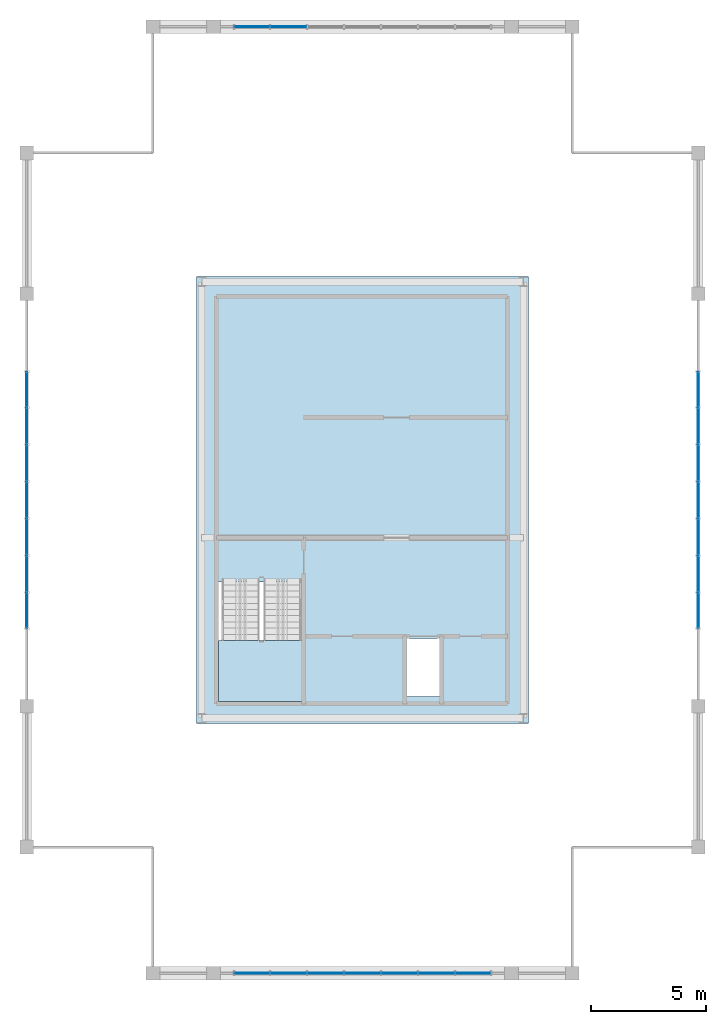
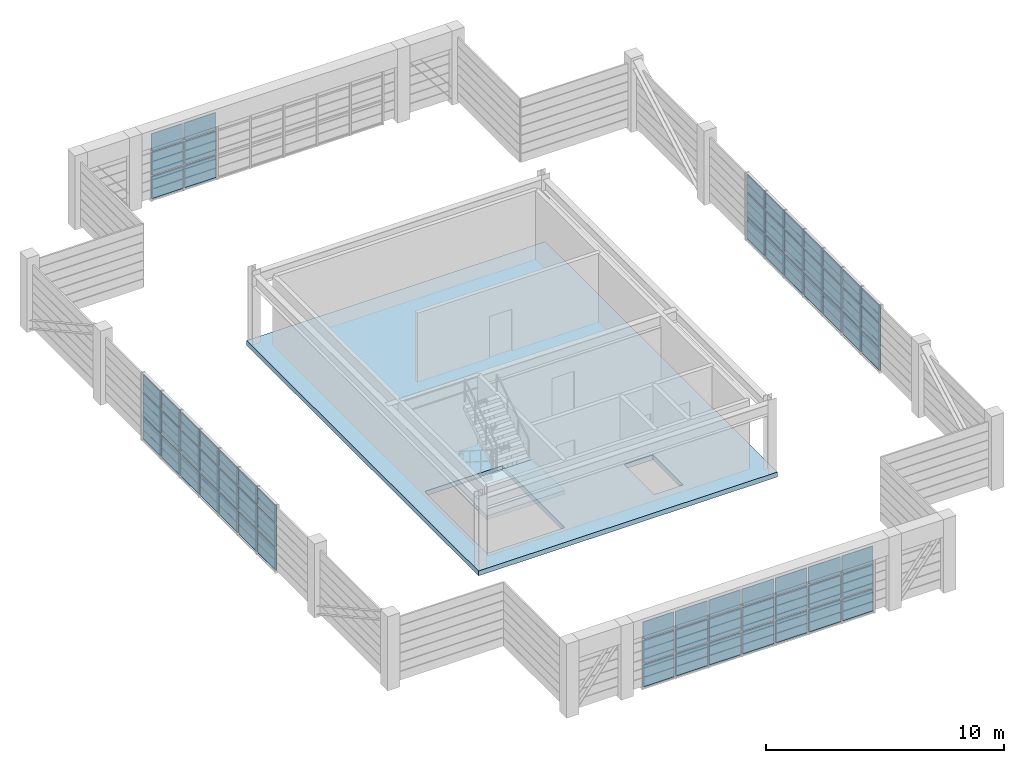
# One storey, part 16 of 21: 69 plates, 2 slabs, 5 elements without a shape of their own.
"""IFC4 building model written with IfcOpenShell, lengths in metres."""

from ifc_helpers import new_model, si_unit, direction, frame, origin, origin_2d, place, context, subcontext, project, spatial, polyline, rectangle, outline, extrude, source, transform, mapped, material, layer, layer_set, type_object, element, aggregate, save


model = new_model("IFC4")

# Units and contexts
model_context = context("Model", 3, precision=1e-05, world=origin(), true_north=direction((0.0, 1.0)))
body_context = subcontext(model_context, "Body", "Model", "MODEL_VIEW")
ifc_project = project(units=[si_unit("LENGTHUNIT", "METRE"), si_unit("AREAUNIT", "SQUARE_METRE"), si_unit("VOLUMEUNIT", "CUBIC_METRE"), si_unit("PLANEANGLEUNIT", "RADIAN"), si_unit("MASSUNIT", "GRAM", prefix="KILO")], contexts=[model_context])

# Site, building, storey
site_placement = place(None, origin())
site = spatial("IfcSite", under=ifc_project, at=site_placement, CompositionType="ELEMENT")
building_placement = place(site_placement, origin())
building = spatial("IfcBuilding", under=site, at=building_placement, Name="Saelheon Loggia Tower", CompositionType="ELEMENT")
storey_placement = place(building_placement, frame((0.0, 0.0, 267.39990234375)))
storey = spatial("IfcBuildingStorey", under=building, at=storey_placement, Name="CR5", CompositionType="ELEMENT", Elevation=267.39990234375)

# Slab
ifc_material_1 = material(Name="Concrete C45/55", Category="concrete")
ifc_layer_1 = layer(ifc_material_1, 0.25)
ifc_layer_set_1 = layer_set([ifc_layer_1], Name="Concrete C45/55")
slab_type_1 = type_object("IfcSlabType", Name="Slab_CrownDeck_250", PredefinedType="FLOOR", material=ifc_layer_set_1)
slab_1_placement = place(storey_placement, frame((0.0, 0.0, -0.25)))
element("IfcSlab", 1, at=slab_1_placement, inside=storey, type_object=slab_type_1, Name="CR5 Crown Mechanical Plant Platform", PredefinedType="FLOOR", context=body_context, shape_type="SweptSolid", body=[
    extrude(outline(polyline([(30.75, 17.25), (45.25, 17.25), (45.25, 36.75), (30.75, 36.75), (30.75, 17.25)]), holes=[polyline([(31.699951171875, 23.429931640625), (31.699951171875, 18.199951171875), (35.47998046875, 18.199951171875), (35.47998046875, 23.429931640625), (31.699951171875, 23.429931640625)]), polyline([(39.949951171875, 18.419921875), (41.35009765625, 18.419921875), (41.35009765625, 20.949951171875), (39.949951171875, 20.949951171875), (39.949951171875, 18.419921875)])]), origin(), (0.0, 0.0, 1.0), 0.25),
])

# Stair, slab
ifc_material_2 = material(Name="Concrete C40/50", Category="concrete")
stair_type = type_object("IfcStairType", Name="Stair_Plant_Crown", PredefinedType="HALF_TURN_STAIR", material=ifc_material_2)
stair_placement = place(storey_placement, origin())
stair = element("IfcStair", 2, at=stair_placement, inside=storey, type_object=stair_type, Name="CR5 Crown Plant Stair ST5", PredefinedType="HALF_TURN_STAIR")
ifc_layer_2 = layer(ifc_material_2, 0.199951171875)
ifc_layer_set_2 = layer_set([ifc_layer_2], Name="Concrete C40/50")
slab_type_2 = type_object("IfcSlabType", Name="Slab_StairLanding_ST5", PredefinedType="LANDING", material=ifc_layer_set_2)
slab_2_placement = place(storey_placement, frame((0.0, 0.0, 1.7001953125)))
slab_2 = element("IfcSlab", 3, at=slab_2_placement, type_object=slab_type_2, Name="ST5 landing 1", PredefinedType="LANDING", context=body_context, shape_type="SweptSolid", body=[
    extrude(outline(polyline([(31.7099609375, 20.8701171875), (31.7099609375, 18.2099609375), (35.469970703125, 18.2099609375), (35.469970703125, 20.8701171875), (31.7099609375, 20.8701171875)])), origin(), (0.0, 0.0, 1.0), 0.199951171875),
])
aggregate(stair, [slab_2])

# Curtain wall, plates
ifc_material_3 = material(Name="Bronze-Anodised Aluminium and Fritted Ceramic Screen", Category="aluminium")
ifc_layer_3 = layer(ifc_material_3, 0.219970703125)
ifc_layer_set_3 = layer_set([ifc_layer_3], Name="Bronze-Anodised Aluminium and Fritted Ceramic Screen")
curtain_wall_type = type_object("IfcCurtainWallType", Name="CW_CrownScreen", PredefinedType="NOTDEFINED", material=ifc_layer_set_3)
curtain_wall_1_placement = place(storey_placement, origin())
curtain_wall_1 = element("IfcCurtainWall", 4, at=curtain_wall_1_placement, inside=storey, type_object=curtain_wall_type, Name="CR5 Crown Central Screen Curtain Wall 0", PredefinedType="NOTDEFINED")
ifc_material_4 = material(Name="Bronze Ceramic Fritted Spandrel Panel", Category="aluminium")
ifc_layer_4 = layer(ifc_material_4, 0.0380859375)
ifc_layer_set_4 = layer_set([ifc_layer_4], Name="Bronze Ceramic Fritted Spandrel Panel")
plate_type = type_object("IfcPlateType", Name="CW_CrownScreen_Panel", PredefinedType="CURTAIN_PANEL", material=ifc_layer_set_4)
shared_shape_1 = source(origin(), body_context, "Body", "SweptSolid", [
    extrude(rectangle(XDim=1.50927734375, YDim=0.0380859375, at=origin_2d()), origin(), (0.0, 0.0, 1.0), 1.14501953125),
])
plate_1_placement = place(storey_placement, frame((33.174560546875, 6.35009765625, 0.070068359375), z_axis=(0.0, 0.0, 1.0), x_axis=(1.0, 0.0, 0.0)))
plate_1 = element("IfcPlate", 5, at=plate_1_placement, type_object=plate_type, Name="CW6 panel 1.1", PredefinedType="CURTAIN_PANEL", context=body_context, shape_type="MappedRepresentation", body=[
    mapped(shared_shape_1, transform((0.0, 0.0, 0.0), scale=1.0)),
])
plate_2_placement = place(storey_placement, frame((42.825439453125, 6.35009765625, 0.070068359375), z_axis=(0.0, 0.0, 1.0), x_axis=(1.0, 0.0, 0.0)))
plate_2 = element("IfcPlate", 6, at=plate_2_placement, type_object=plate_type, Name="CW6 panel 7.1", PredefinedType="CURTAIN_PANEL", context=body_context, shape_type="MappedRepresentation", body=[
    mapped(shared_shape_1, transform((0.0, 0.0, 0.0), scale=1.0)),
])

curtain_wall_2_placement = place(storey_placement, origin())
curtain_wall_2 = element("IfcCurtainWall", 7, at=curtain_wall_2_placement, inside=storey, type_object=curtain_wall_type, Name="CR5 Crown Central Screen Curtain Wall 3", PredefinedType="NOTDEFINED")
plate_3_placement = place(storey_placement, frame((52.64990234375, 22.174560546875, 0.070068359375), z_axis=(0.0, 0.0, 1.0), x_axis=(0.0, 1.0, 0.0)))
plate_3 = element("IfcPlate", 8, at=plate_3_placement, type_object=plate_type, Name="CW6 panel 1.1", PredefinedType="CURTAIN_PANEL", context=body_context, shape_type="MappedRepresentation", body=[
    mapped(shared_shape_1, transform((0.0, 0.0, 0.0), scale=1.0)),
])
plate_4_placement = place(storey_placement, frame((52.64990234375, 31.825439453125, 0.070068359375), z_axis=(0.0, 0.0, 1.0), x_axis=(0.0, 1.0, 0.0)))
plate_4 = element("IfcPlate", 9, at=plate_4_placement, type_object=plate_type, Name="CW6 panel 7.1", PredefinedType="CURTAIN_PANEL", context=body_context, shape_type="MappedRepresentation", body=[
    mapped(shared_shape_1, transform((0.0, 0.0, 0.0), scale=1.0)),
])

# Curtain wall, plate
curtain_wall_3_placement = place(storey_placement, origin())
curtain_wall_3 = element("IfcCurtainWall", 10, at=curtain_wall_3_placement, inside=storey, type_object=curtain_wall_type, Name="CR5 Crown Central Screen Curtain Wall 6", PredefinedType="NOTDEFINED")
plate_5_placement = place(storey_placement, frame((33.174560546875, 47.64990234375, 0.070068359375), z_axis=(0.0, 0.0, 1.0), x_axis=(1.0, 0.0, 0.0)))
plate_5 = element("IfcPlate", 11, at=plate_5_placement, type_object=plate_type, Name="CW6 panel 1.1", PredefinedType="CURTAIN_PANEL", context=body_context, shape_type="MappedRepresentation", body=[
    mapped(shared_shape_1, transform((0.0, 0.0, 0.0), scale=1.0)),
])

# Curtain wall, plates
curtain_wall_4_placement = place(storey_placement, origin())
curtain_wall_4 = element("IfcCurtainWall", 12, at=curtain_wall_4_placement, inside=storey, type_object=curtain_wall_type, Name="CR5 Crown Central Screen Curtain Wall 9", PredefinedType="NOTDEFINED")
plate_6_placement = place(storey_placement, frame((23.35009765625, 22.174560546875, 0.070068359375), z_axis=(0.0, 0.0, 1.0), x_axis=(0.0, 1.0, 0.0)))
plate_6 = element("IfcPlate", 13, at=plate_6_placement, type_object=plate_type, Name="CW6 panel 1.1", PredefinedType="CURTAIN_PANEL", context=body_context, shape_type="MappedRepresentation", body=[
    mapped(shared_shape_1, transform((0.0, 0.0, 0.0), scale=1.0)),
])
plate_7_placement = place(storey_placement, frame((23.35009765625, 31.825439453125, 0.070068359375), z_axis=(0.0, 0.0, 1.0), x_axis=(0.0, 1.0, 0.0)))
plate_7 = element("IfcPlate", 14, at=plate_7_placement, type_object=plate_type, Name="CW6 panel 7.1", PredefinedType="CURTAIN_PANEL", context=body_context, shape_type="MappedRepresentation", body=[
    mapped(shared_shape_1, transform((0.0, 0.0, 0.0), scale=1.0)),
])

# Plate
shared_shape_2 = source(origin(), body_context, "Body", "SweptSolid", [
    extrude(rectangle(XDim=1.50927734375, YDim=0.0380859375, at=origin_2d()), origin(), (0.0, 0.0, 1.0), 1.179931640625),
])
plate_8_placement = place(storey_placement, frame((33.174560546875, 6.35009765625, 1.28515625), z_axis=(0.0, 0.0, 1.0), x_axis=(1.0, 0.0, 0.0)))
plate_8 = element("IfcPlate", 15, at=plate_8_placement, type_object=plate_type, Name="CW6 panel 1.2", PredefinedType="CURTAIN_PANEL", context=body_context, shape_type="MappedRepresentation", body=[
    mapped(shared_shape_2, transform((0.0, 0.0, 0.0), scale=1.0)),
])

plate_9_placement = place(storey_placement, frame((42.825439453125, 6.35009765625, 1.28515625), z_axis=(0.0, 0.0, 1.0), x_axis=(1.0, 0.0, 0.0)))
plate_9 = element("IfcPlate", 16, at=plate_9_placement, type_object=plate_type, Name="CW6 panel 7.2", PredefinedType="CURTAIN_PANEL", context=body_context, shape_type="MappedRepresentation", body=[
    mapped(shared_shape_2, transform((0.0, 0.0, 0.0), scale=1.0)),
])

plate_10_placement = place(storey_placement, frame((52.64990234375, 22.174560546875, 1.28515625), z_axis=(0.0, 0.0, 1.0), x_axis=(0.0, 1.0, 0.0)))
plate_10 = element("IfcPlate", 17, at=plate_10_placement, type_object=plate_type, Name="CW6 panel 1.2", PredefinedType="CURTAIN_PANEL", context=body_context, shape_type="MappedRepresentation", body=[
    mapped(shared_shape_2, transform((0.0, 0.0, 0.0), scale=1.0)),
])

plate_11_placement = place(storey_placement, frame((52.64990234375, 31.825439453125, 1.28515625), z_axis=(0.0, 0.0, 1.0), x_axis=(0.0, 1.0, 0.0)))
plate_11 = element("IfcPlate", 18, at=plate_11_placement, type_object=plate_type, Name="CW6 panel 7.2", PredefinedType="CURTAIN_PANEL", context=body_context, shape_type="MappedRepresentation", body=[
    mapped(shared_shape_2, transform((0.0, 0.0, 0.0), scale=1.0)),
])

plate_12_placement = place(storey_placement, frame((33.174560546875, 47.64990234375, 1.28515625), z_axis=(0.0, 0.0, 1.0), x_axis=(1.0, 0.0, 0.0)))
plate_12 = element("IfcPlate", 19, at=plate_12_placement, type_object=plate_type, Name="CW6 panel 1.2", PredefinedType="CURTAIN_PANEL", context=body_context, shape_type="MappedRepresentation", body=[
    mapped(shared_shape_2, transform((0.0, 0.0, 0.0), scale=1.0)),
])

plate_13_placement = place(storey_placement, frame((23.35009765625, 22.174560546875, 1.28515625), z_axis=(0.0, 0.0, 1.0), x_axis=(0.0, 1.0, 0.0)))
plate_13 = element("IfcPlate", 20, at=plate_13_placement, type_object=plate_type, Name="CW6 panel 1.2", PredefinedType="CURTAIN_PANEL", context=body_context, shape_type="MappedRepresentation", body=[
    mapped(shared_shape_2, transform((0.0, 0.0, 0.0), scale=1.0)),
])

plate_14_placement = place(storey_placement, frame((23.35009765625, 31.825439453125, 1.28515625), z_axis=(0.0, 0.0, 1.0), x_axis=(0.0, 1.0, 0.0)))
plate_14 = element("IfcPlate", 21, at=plate_14_placement, type_object=plate_type, Name="CW6 panel 7.2", PredefinedType="CURTAIN_PANEL", context=body_context, shape_type="MappedRepresentation", body=[
    mapped(shared_shape_2, transform((0.0, 0.0, 0.0), scale=1.0)),
])

shared_shape_3 = source(origin(), body_context, "Body", "SweptSolid", [
    extrude(rectangle(XDim=1.50927734375, YDim=0.0380859375, at=origin_2d()), origin(), (0.0, 0.0, 1.0), 0.875),
])
plate_15_placement = place(storey_placement, frame((33.174560546875, 6.35009765625, 2.53515625), z_axis=(0.0, 0.0, 1.0), x_axis=(1.0, 0.0, 0.0)))
plate_15 = element("IfcPlate", 22, at=plate_15_placement, type_object=plate_type, Name="CW6 panel 1.3", PredefinedType="CURTAIN_PANEL", context=body_context, shape_type="MappedRepresentation", body=[
    mapped(shared_shape_3, transform((0.0, 0.0, 0.0), scale=1.0)),
])

plate_16_placement = place(storey_placement, frame((42.825439453125, 6.35009765625, 2.53515625), z_axis=(0.0, 0.0, 1.0), x_axis=(1.0, 0.0, 0.0)))
plate_16 = element("IfcPlate", 23, at=plate_16_placement, type_object=plate_type, Name="CW6 panel 7.3", PredefinedType="CURTAIN_PANEL", context=body_context, shape_type="MappedRepresentation", body=[
    mapped(shared_shape_3, transform((0.0, 0.0, 0.0), scale=1.0)),
])

plate_17_placement = place(storey_placement, frame((52.64990234375, 22.174560546875, 2.53515625), z_axis=(0.0, 0.0, 1.0), x_axis=(0.0, 1.0, 0.0)))
plate_17 = element("IfcPlate", 24, at=plate_17_placement, type_object=plate_type, Name="CW6 panel 1.3", PredefinedType="CURTAIN_PANEL", context=body_context, shape_type="MappedRepresentation", body=[
    mapped(shared_shape_3, transform((0.0, 0.0, 0.0), scale=1.0)),
])

plate_18_placement = place(storey_placement, frame((52.64990234375, 31.825439453125, 2.53515625), z_axis=(0.0, 0.0, 1.0), x_axis=(0.0, 1.0, 0.0)))
plate_18 = element("IfcPlate", 25, at=plate_18_placement, type_object=plate_type, Name="CW6 panel 7.3", PredefinedType="CURTAIN_PANEL", context=body_context, shape_type="MappedRepresentation", body=[
    mapped(shared_shape_3, transform((0.0, 0.0, 0.0), scale=1.0)),
])

plate_19_placement = place(storey_placement, frame((33.174560546875, 47.64990234375, 2.53515625), z_axis=(0.0, 0.0, 1.0), x_axis=(1.0, 0.0, 0.0)))
plate_19 = element("IfcPlate", 26, at=plate_19_placement, type_object=plate_type, Name="CW6 panel 1.3", PredefinedType="CURTAIN_PANEL", context=body_context, shape_type="MappedRepresentation", body=[
    mapped(shared_shape_3, transform((0.0, 0.0, 0.0), scale=1.0)),
])

plate_20_placement = place(storey_placement, frame((23.35009765625, 22.174560546875, 2.53515625), z_axis=(0.0, 0.0, 1.0), x_axis=(0.0, 1.0, 0.0)))
plate_20 = element("IfcPlate", 27, at=plate_20_placement, type_object=plate_type, Name="CW6 panel 1.3", PredefinedType="CURTAIN_PANEL", context=body_context, shape_type="MappedRepresentation", body=[
    mapped(shared_shape_3, transform((0.0, 0.0, 0.0), scale=1.0)),
])

plate_21_placement = place(storey_placement, frame((23.35009765625, 31.825439453125, 2.53515625), z_axis=(0.0, 0.0, 1.0), x_axis=(0.0, 1.0, 0.0)))
plate_21 = element("IfcPlate", 28, at=plate_21_placement, type_object=plate_type, Name="CW6 panel 7.3", PredefinedType="CURTAIN_PANEL", context=body_context, shape_type="MappedRepresentation", body=[
    mapped(shared_shape_3, transform((0.0, 0.0, 0.0), scale=1.0)),
])

shared_shape_4 = source(origin(), body_context, "Body", "SweptSolid", [
    extrude(rectangle(XDim=1.544189453125, YDim=0.0380859375, at=origin_2d()), origin(), (0.0, 0.0, 1.0), 1.14501953125),
])
plate_22_placement = place(storey_placement, frame((34.771484375, 6.35009765625, 0.070068359375), z_axis=(0.0, 0.0, 1.0), x_axis=(1.0, 0.0, 0.0)))
plate_22 = element("IfcPlate", 29, at=plate_22_placement, type_object=plate_type, Name="CW6 panel 2.1", PredefinedType="CURTAIN_PANEL", context=body_context, shape_type="MappedRepresentation", body=[
    mapped(shared_shape_4, transform((0.0, 0.0, 0.0), scale=1.0)),
])

plate_23_placement = place(storey_placement, frame((36.3857421875, 6.35009765625, 0.070068359375), z_axis=(0.0, 0.0, 1.0), x_axis=(1.0, 0.0, 0.0)))
plate_23 = element("IfcPlate", 30, at=plate_23_placement, type_object=plate_type, Name="CW6 panel 3.1", PredefinedType="CURTAIN_PANEL", context=body_context, shape_type="MappedRepresentation", body=[
    mapped(shared_shape_4, transform((0.0, 0.0, 0.0), scale=1.0)),
])

plate_24_placement = place(storey_placement, frame((38.0, 6.35009765625, 0.070068359375), z_axis=(0.0, 0.0, 1.0), x_axis=(1.0, 0.0, 0.0)))
plate_24 = element("IfcPlate", 31, at=plate_24_placement, type_object=plate_type, Name="CW6 panel 4.1", PredefinedType="CURTAIN_PANEL", context=body_context, shape_type="MappedRepresentation", body=[
    mapped(shared_shape_4, transform((0.0, 0.0, 0.0), scale=1.0)),
])

plate_25_placement = place(storey_placement, frame((39.6142578125, 6.35009765625, 0.070068359375), z_axis=(0.0, 0.0, 1.0), x_axis=(1.0, 0.0, 0.0)))
plate_25 = element("IfcPlate", 32, at=plate_25_placement, type_object=plate_type, Name="CW6 panel 5.1", PredefinedType="CURTAIN_PANEL", context=body_context, shape_type="MappedRepresentation", body=[
    mapped(shared_shape_4, transform((0.0, 0.0, 0.0), scale=1.0)),
])

plate_26_placement = place(storey_placement, frame((41.228515625, 6.35009765625, 0.070068359375), z_axis=(0.0, 0.0, 1.0), x_axis=(1.0, 0.0, 0.0)))
plate_26 = element("IfcPlate", 33, at=plate_26_placement, type_object=plate_type, Name="CW6 panel 6.1", PredefinedType="CURTAIN_PANEL", context=body_context, shape_type="MappedRepresentation", body=[
    mapped(shared_shape_4, transform((0.0, 0.0, 0.0), scale=1.0)),
])

plate_27_placement = place(storey_placement, frame((52.64990234375, 23.771484375, 0.070068359375), z_axis=(0.0, 0.0, 1.0), x_axis=(0.0, 1.0, 0.0)))
plate_27 = element("IfcPlate", 34, at=plate_27_placement, type_object=plate_type, Name="CW6 panel 2.1", PredefinedType="CURTAIN_PANEL", context=body_context, shape_type="MappedRepresentation", body=[
    mapped(shared_shape_4, transform((0.0, 0.0, 0.0), scale=1.0)),
])

plate_28_placement = place(storey_placement, frame((52.64990234375, 25.3857421875, 0.070068359375), z_axis=(0.0, 0.0, 1.0), x_axis=(0.0, 1.0, 0.0)))
plate_28 = element("IfcPlate", 35, at=plate_28_placement, type_object=plate_type, Name="CW6 panel 3.1", PredefinedType="CURTAIN_PANEL", context=body_context, shape_type="MappedRepresentation", body=[
    mapped(shared_shape_4, transform((0.0, 0.0, 0.0), scale=1.0)),
])

plate_29_placement = place(storey_placement, frame((52.64990234375, 27.0, 0.070068359375), z_axis=(0.0, 0.0, 1.0), x_axis=(0.0, 1.0, 0.0)))
plate_29 = element("IfcPlate", 36, at=plate_29_placement, type_object=plate_type, Name="CW6 panel 4.1", PredefinedType="CURTAIN_PANEL", context=body_context, shape_type="MappedRepresentation", body=[
    mapped(shared_shape_4, transform((0.0, 0.0, 0.0), scale=1.0)),
])

plate_30_placement = place(storey_placement, frame((52.64990234375, 28.6142578125, 0.070068359375), z_axis=(0.0, 0.0, 1.0), x_axis=(0.0, 1.0, 0.0)))
plate_30 = element("IfcPlate", 37, at=plate_30_placement, type_object=plate_type, Name="CW6 panel 5.1", PredefinedType="CURTAIN_PANEL", context=body_context, shape_type="MappedRepresentation", body=[
    mapped(shared_shape_4, transform((0.0, 0.0, 0.0), scale=1.0)),
])

plate_31_placement = place(storey_placement, frame((52.64990234375, 30.228515625, 0.070068359375), z_axis=(0.0, 0.0, 1.0), x_axis=(0.0, 1.0, 0.0)))
plate_31 = element("IfcPlate", 38, at=plate_31_placement, type_object=plate_type, Name="CW6 panel 6.1", PredefinedType="CURTAIN_PANEL", context=body_context, shape_type="MappedRepresentation", body=[
    mapped(shared_shape_4, transform((0.0, 0.0, 0.0), scale=1.0)),
])

plate_32_placement = place(storey_placement, frame((34.771484375, 47.64990234375, 0.070068359375), z_axis=(0.0, 0.0, 1.0), x_axis=(1.0, 0.0, 0.0)))
plate_32 = element("IfcPlate", 39, at=plate_32_placement, type_object=plate_type, Name="CW6 panel 2.1", PredefinedType="CURTAIN_PANEL", context=body_context, shape_type="MappedRepresentation", body=[
    mapped(shared_shape_4, transform((0.0, 0.0, 0.0), scale=1.0)),
])

plate_33_placement = place(storey_placement, frame((23.35009765625, 23.771484375, 0.070068359375), z_axis=(0.0, 0.0, 1.0), x_axis=(0.0, 1.0, 0.0)))
plate_33 = element("IfcPlate", 40, at=plate_33_placement, type_object=plate_type, Name="CW6 panel 2.1", PredefinedType="CURTAIN_PANEL", context=body_context, shape_type="MappedRepresentation", body=[
    mapped(shared_shape_4, transform((0.0, 0.0, 0.0), scale=1.0)),
])

plate_34_placement = place(storey_placement, frame((23.35009765625, 25.3857421875, 0.070068359375), z_axis=(0.0, 0.0, 1.0), x_axis=(0.0, 1.0, 0.0)))
plate_34 = element("IfcPlate", 41, at=plate_34_placement, type_object=plate_type, Name="CW6 panel 3.1", PredefinedType="CURTAIN_PANEL", context=body_context, shape_type="MappedRepresentation", body=[
    mapped(shared_shape_4, transform((0.0, 0.0, 0.0), scale=1.0)),
])

plate_35_placement = place(storey_placement, frame((23.35009765625, 27.0, 0.070068359375), z_axis=(0.0, 0.0, 1.0), x_axis=(0.0, 1.0, 0.0)))
plate_35 = element("IfcPlate", 42, at=plate_35_placement, type_object=plate_type, Name="CW6 panel 4.1", PredefinedType="CURTAIN_PANEL", context=body_context, shape_type="MappedRepresentation", body=[
    mapped(shared_shape_4, transform((0.0, 0.0, 0.0), scale=1.0)),
])

plate_36_placement = place(storey_placement, frame((23.35009765625, 28.6142578125, 0.070068359375), z_axis=(0.0, 0.0, 1.0), x_axis=(0.0, 1.0, 0.0)))
plate_36 = element("IfcPlate", 43, at=plate_36_placement, type_object=plate_type, Name="CW6 panel 5.1", PredefinedType="CURTAIN_PANEL", context=body_context, shape_type="MappedRepresentation", body=[
    mapped(shared_shape_4, transform((0.0, 0.0, 0.0), scale=1.0)),
])

plate_37_placement = place(storey_placement, frame((23.35009765625, 30.228515625, 0.070068359375), z_axis=(0.0, 0.0, 1.0), x_axis=(0.0, 1.0, 0.0)))
plate_37 = element("IfcPlate", 44, at=plate_37_placement, type_object=plate_type, Name="CW6 panel 6.1", PredefinedType="CURTAIN_PANEL", context=body_context, shape_type="MappedRepresentation", body=[
    mapped(shared_shape_4, transform((0.0, 0.0, 0.0), scale=1.0)),
])

shared_shape_5 = source(origin(), body_context, "Body", "SweptSolid", [
    extrude(rectangle(XDim=1.544189453125, YDim=0.0380859375, at=origin_2d()), origin(), (0.0, 0.0, 1.0), 1.179931640625),
])
plate_38_placement = place(storey_placement, frame((34.771484375, 6.35009765625, 1.28515625), z_axis=(0.0, 0.0, 1.0), x_axis=(1.0, 0.0, 0.0)))
plate_38 = element("IfcPlate", 45, at=plate_38_placement, type_object=plate_type, Name="CW6 panel 2.2", PredefinedType="CURTAIN_PANEL", context=body_context, shape_type="MappedRepresentation", body=[
    mapped(shared_shape_5, transform((0.0, 0.0, 0.0), scale=1.0)),
])

plate_39_placement = place(storey_placement, frame((36.3857421875, 6.35009765625, 1.28515625), z_axis=(0.0, 0.0, 1.0), x_axis=(1.0, 0.0, 0.0)))
plate_39 = element("IfcPlate", 46, at=plate_39_placement, type_object=plate_type, Name="CW6 panel 3.2", PredefinedType="CURTAIN_PANEL", context=body_context, shape_type="MappedRepresentation", body=[
    mapped(shared_shape_5, transform((0.0, 0.0, 0.0), scale=1.0)),
])

plate_40_placement = place(storey_placement, frame((38.0, 6.35009765625, 1.28515625), z_axis=(0.0, 0.0, 1.0), x_axis=(1.0, 0.0, 0.0)))
plate_40 = element("IfcPlate", 47, at=plate_40_placement, type_object=plate_type, Name="CW6 panel 4.2", PredefinedType="CURTAIN_PANEL", context=body_context, shape_type="MappedRepresentation", body=[
    mapped(shared_shape_5, transform((0.0, 0.0, 0.0), scale=1.0)),
])

plate_41_placement = place(storey_placement, frame((39.6142578125, 6.35009765625, 1.28515625), z_axis=(0.0, 0.0, 1.0), x_axis=(1.0, 0.0, 0.0)))
plate_41 = element("IfcPlate", 48, at=plate_41_placement, type_object=plate_type, Name="CW6 panel 5.2", PredefinedType="CURTAIN_PANEL", context=body_context, shape_type="MappedRepresentation", body=[
    mapped(shared_shape_5, transform((0.0, 0.0, 0.0), scale=1.0)),
])

plate_42_placement = place(storey_placement, frame((41.228515625, 6.35009765625, 1.28515625), z_axis=(0.0, 0.0, 1.0), x_axis=(1.0, 0.0, 0.0)))
plate_42 = element("IfcPlate", 49, at=plate_42_placement, type_object=plate_type, Name="CW6 panel 6.2", PredefinedType="CURTAIN_PANEL", context=body_context, shape_type="MappedRepresentation", body=[
    mapped(shared_shape_5, transform((0.0, 0.0, 0.0), scale=1.0)),
])

plate_43_placement = place(storey_placement, frame((52.64990234375, 23.771484375, 1.28515625), z_axis=(0.0, 0.0, 1.0), x_axis=(0.0, 1.0, 0.0)))
plate_43 = element("IfcPlate", 50, at=plate_43_placement, type_object=plate_type, Name="CW6 panel 2.2", PredefinedType="CURTAIN_PANEL", context=body_context, shape_type="MappedRepresentation", body=[
    mapped(shared_shape_5, transform((0.0, 0.0, 0.0), scale=1.0)),
])

plate_44_placement = place(storey_placement, frame((52.64990234375, 25.3857421875, 1.28515625), z_axis=(0.0, 0.0, 1.0), x_axis=(0.0, 1.0, 0.0)))
plate_44 = element("IfcPlate", 51, at=plate_44_placement, type_object=plate_type, Name="CW6 panel 3.2", PredefinedType="CURTAIN_PANEL", context=body_context, shape_type="MappedRepresentation", body=[
    mapped(shared_shape_5, transform((0.0, 0.0, 0.0), scale=1.0)),
])

plate_45_placement = place(storey_placement, frame((52.64990234375, 27.0, 1.28515625), z_axis=(0.0, 0.0, 1.0), x_axis=(0.0, 1.0, 0.0)))
plate_45 = element("IfcPlate", 52, at=plate_45_placement, type_object=plate_type, Name="CW6 panel 4.2", PredefinedType="CURTAIN_PANEL", context=body_context, shape_type="MappedRepresentation", body=[
    mapped(shared_shape_5, transform((0.0, 0.0, 0.0), scale=1.0)),
])

plate_46_placement = place(storey_placement, frame((52.64990234375, 28.6142578125, 1.28515625), z_axis=(0.0, 0.0, 1.0), x_axis=(0.0, 1.0, 0.0)))
plate_46 = element("IfcPlate", 53, at=plate_46_placement, type_object=plate_type, Name="CW6 panel 5.2", PredefinedType="CURTAIN_PANEL", context=body_context, shape_type="MappedRepresentation", body=[
    mapped(shared_shape_5, transform((0.0, 0.0, 0.0), scale=1.0)),
])

plate_47_placement = place(storey_placement, frame((52.64990234375, 30.228515625, 1.28515625), z_axis=(0.0, 0.0, 1.0), x_axis=(0.0, 1.0, 0.0)))
plate_47 = element("IfcPlate", 54, at=plate_47_placement, type_object=plate_type, Name="CW6 panel 6.2", PredefinedType="CURTAIN_PANEL", context=body_context, shape_type="MappedRepresentation", body=[
    mapped(shared_shape_5, transform((0.0, 0.0, 0.0), scale=1.0)),
])

plate_48_placement = place(storey_placement, frame((34.771484375, 47.64990234375, 1.28515625), z_axis=(0.0, 0.0, 1.0), x_axis=(1.0, 0.0, 0.0)))
plate_48 = element("IfcPlate", 55, at=plate_48_placement, type_object=plate_type, Name="CW6 panel 2.2", PredefinedType="CURTAIN_PANEL", context=body_context, shape_type="MappedRepresentation", body=[
    mapped(shared_shape_5, transform((0.0, 0.0, 0.0), scale=1.0)),
])

plate_49_placement = place(storey_placement, frame((23.35009765625, 23.771484375, 1.28515625), z_axis=(0.0, 0.0, 1.0), x_axis=(0.0, 1.0, 0.0)))
plate_49 = element("IfcPlate", 56, at=plate_49_placement, type_object=plate_type, Name="CW6 panel 2.2", PredefinedType="CURTAIN_PANEL", context=body_context, shape_type="MappedRepresentation", body=[
    mapped(shared_shape_5, transform((0.0, 0.0, 0.0), scale=1.0)),
])

plate_50_placement = place(storey_placement, frame((23.35009765625, 25.3857421875, 1.28515625), z_axis=(0.0, 0.0, 1.0), x_axis=(0.0, 1.0, 0.0)))
plate_50 = element("IfcPlate", 57, at=plate_50_placement, type_object=plate_type, Name="CW6 panel 3.2", PredefinedType="CURTAIN_PANEL", context=body_context, shape_type="MappedRepresentation", body=[
    mapped(shared_shape_5, transform((0.0, 0.0, 0.0), scale=1.0)),
])

plate_51_placement = place(storey_placement, frame((23.35009765625, 27.0, 1.28515625), z_axis=(0.0, 0.0, 1.0), x_axis=(0.0, 1.0, 0.0)))
plate_51 = element("IfcPlate", 58, at=plate_51_placement, type_object=plate_type, Name="CW6 panel 4.2", PredefinedType="CURTAIN_PANEL", context=body_context, shape_type="MappedRepresentation", body=[
    mapped(shared_shape_5, transform((0.0, 0.0, 0.0), scale=1.0)),
])

plate_52_placement = place(storey_placement, frame((23.35009765625, 28.6142578125, 1.28515625), z_axis=(0.0, 0.0, 1.0), x_axis=(0.0, 1.0, 0.0)))
plate_52 = element("IfcPlate", 59, at=plate_52_placement, type_object=plate_type, Name="CW6 panel 5.2", PredefinedType="CURTAIN_PANEL", context=body_context, shape_type="MappedRepresentation", body=[
    mapped(shared_shape_5, transform((0.0, 0.0, 0.0), scale=1.0)),
])

plate_53_placement = place(storey_placement, frame((23.35009765625, 30.228515625, 1.28515625), z_axis=(0.0, 0.0, 1.0), x_axis=(0.0, 1.0, 0.0)))
plate_53 = element("IfcPlate", 60, at=plate_53_placement, type_object=plate_type, Name="CW6 panel 6.2", PredefinedType="CURTAIN_PANEL", context=body_context, shape_type="MappedRepresentation", body=[
    mapped(shared_shape_5, transform((0.0, 0.0, 0.0), scale=1.0)),
])

shared_shape_6 = source(origin(), body_context, "Body", "SweptSolid", [
    extrude(rectangle(XDim=1.544189453125, YDim=0.0380859375, at=origin_2d()), origin(), (0.0, 0.0, 1.0), 0.875),
])
plate_54_placement = place(storey_placement, frame((34.771484375, 6.35009765625, 2.53515625), z_axis=(0.0, 0.0, 1.0), x_axis=(1.0, 0.0, 0.0)))
plate_54 = element("IfcPlate", 61, at=plate_54_placement, type_object=plate_type, Name="CW6 panel 2.3", PredefinedType="CURTAIN_PANEL", context=body_context, shape_type="MappedRepresentation", body=[
    mapped(shared_shape_6, transform((0.0, 0.0, 0.0), scale=1.0)),
])

plate_55_placement = place(storey_placement, frame((36.3857421875, 6.35009765625, 2.53515625), z_axis=(0.0, 0.0, 1.0), x_axis=(1.0, 0.0, 0.0)))
plate_55 = element("IfcPlate", 62, at=plate_55_placement, type_object=plate_type, Name="CW6 panel 3.3", PredefinedType="CURTAIN_PANEL", context=body_context, shape_type="MappedRepresentation", body=[
    mapped(shared_shape_6, transform((0.0, 0.0, 0.0), scale=1.0)),
])

plate_56_placement = place(storey_placement, frame((38.0, 6.35009765625, 2.53515625), z_axis=(0.0, 0.0, 1.0), x_axis=(1.0, 0.0, 0.0)))
plate_56 = element("IfcPlate", 63, at=plate_56_placement, type_object=plate_type, Name="CW6 panel 4.3", PredefinedType="CURTAIN_PANEL", context=body_context, shape_type="MappedRepresentation", body=[
    mapped(shared_shape_6, transform((0.0, 0.0, 0.0), scale=1.0)),
])

plate_57_placement = place(storey_placement, frame((39.6142578125, 6.35009765625, 2.53515625), z_axis=(0.0, 0.0, 1.0), x_axis=(1.0, 0.0, 0.0)))
plate_57 = element("IfcPlate", 64, at=plate_57_placement, type_object=plate_type, Name="CW6 panel 5.3", PredefinedType="CURTAIN_PANEL", context=body_context, shape_type="MappedRepresentation", body=[
    mapped(shared_shape_6, transform((0.0, 0.0, 0.0), scale=1.0)),
])

plate_58_placement = place(storey_placement, frame((41.228515625, 6.35009765625, 2.53515625), z_axis=(0.0, 0.0, 1.0), x_axis=(1.0, 0.0, 0.0)))
plate_58 = element("IfcPlate", 65, at=plate_58_placement, type_object=plate_type, Name="CW6 panel 6.3", PredefinedType="CURTAIN_PANEL", context=body_context, shape_type="MappedRepresentation", body=[
    mapped(shared_shape_6, transform((0.0, 0.0, 0.0), scale=1.0)),
])

aggregate(curtain_wall_1, [plate_1, plate_8, plate_15, plate_22, plate_38, plate_54, plate_23, plate_39, plate_55, plate_24, plate_40, plate_56, plate_25, plate_41, plate_57, plate_26, plate_42, plate_58, plate_2, plate_9, plate_16])

plate_59_placement = place(storey_placement, frame((52.64990234375, 23.771484375, 2.53515625), z_axis=(0.0, 0.0, 1.0), x_axis=(0.0, 1.0, 0.0)))
plate_59 = element("IfcPlate", 66, at=plate_59_placement, type_object=plate_type, Name="CW6 panel 2.3", PredefinedType="CURTAIN_PANEL", context=body_context, shape_type="MappedRepresentation", body=[
    mapped(shared_shape_6, transform((0.0, 0.0, 0.0), scale=1.0)),
])

plate_60_placement = place(storey_placement, frame((52.64990234375, 25.3857421875, 2.53515625), z_axis=(0.0, 0.0, 1.0), x_axis=(0.0, 1.0, 0.0)))
plate_60 = element("IfcPlate", 67, at=plate_60_placement, type_object=plate_type, Name="CW6 panel 3.3", PredefinedType="CURTAIN_PANEL", context=body_context, shape_type="MappedRepresentation", body=[
    mapped(shared_shape_6, transform((0.0, 0.0, 0.0), scale=1.0)),
])

plate_61_placement = place(storey_placement, frame((52.64990234375, 27.0, 2.53515625), z_axis=(0.0, 0.0, 1.0), x_axis=(0.0, 1.0, 0.0)))
plate_61 = element("IfcPlate", 68, at=plate_61_placement, type_object=plate_type, Name="CW6 panel 4.3", PredefinedType="CURTAIN_PANEL", context=body_context, shape_type="MappedRepresentation", body=[
    mapped(shared_shape_6, transform((0.0, 0.0, 0.0), scale=1.0)),
])

plate_62_placement = place(storey_placement, frame((52.64990234375, 28.6142578125, 2.53515625), z_axis=(0.0, 0.0, 1.0), x_axis=(0.0, 1.0, 0.0)))
plate_62 = element("IfcPlate", 69, at=plate_62_placement, type_object=plate_type, Name="CW6 panel 5.3", PredefinedType="CURTAIN_PANEL", context=body_context, shape_type="MappedRepresentation", body=[
    mapped(shared_shape_6, transform((0.0, 0.0, 0.0), scale=1.0)),
])

plate_63_placement = place(storey_placement, frame((52.64990234375, 30.228515625, 2.53515625), z_axis=(0.0, 0.0, 1.0), x_axis=(0.0, 1.0, 0.0)))
plate_63 = element("IfcPlate", 70, at=plate_63_placement, type_object=plate_type, Name="CW6 panel 6.3", PredefinedType="CURTAIN_PANEL", context=body_context, shape_type="MappedRepresentation", body=[
    mapped(shared_shape_6, transform((0.0, 0.0, 0.0), scale=1.0)),
])

aggregate(curtain_wall_2, [plate_3, plate_10, plate_17, plate_27, plate_43, plate_59, plate_28, plate_44, plate_60, plate_29, plate_45, plate_61, plate_30, plate_46, plate_62, plate_31, plate_47, plate_63, plate_4, plate_11, plate_18])

plate_64_placement = place(storey_placement, frame((34.771484375, 47.64990234375, 2.53515625), z_axis=(0.0, 0.0, 1.0), x_axis=(1.0, 0.0, 0.0)))
plate_64 = element("IfcPlate", 71, at=plate_64_placement, type_object=plate_type, Name="CW6 panel 2.3", PredefinedType="CURTAIN_PANEL", context=body_context, shape_type="MappedRepresentation", body=[
    mapped(shared_shape_6, transform((0.0, 0.0, 0.0), scale=1.0)),
])

aggregate(curtain_wall_3, [plate_5, plate_12, plate_19, plate_32, plate_48, plate_64])

plate_65_placement = place(storey_placement, frame((23.35009765625, 23.771484375, 2.53515625), z_axis=(0.0, 0.0, 1.0), x_axis=(0.0, 1.0, 0.0)))
plate_65 = element("IfcPlate", 72, at=plate_65_placement, type_object=plate_type, Name="CW6 panel 2.3", PredefinedType="CURTAIN_PANEL", context=body_context, shape_type="MappedRepresentation", body=[
    mapped(shared_shape_6, transform((0.0, 0.0, 0.0), scale=1.0)),
])

plate_66_placement = place(storey_placement, frame((23.35009765625, 25.3857421875, 2.53515625), z_axis=(0.0, 0.0, 1.0), x_axis=(0.0, 1.0, 0.0)))
plate_66 = element("IfcPlate", 73, at=plate_66_placement, type_object=plate_type, Name="CW6 panel 3.3", PredefinedType="CURTAIN_PANEL", context=body_context, shape_type="MappedRepresentation", body=[
    mapped(shared_shape_6, transform((0.0, 0.0, 0.0), scale=1.0)),
])

plate_67_placement = place(storey_placement, frame((23.35009765625, 27.0, 2.53515625), z_axis=(0.0, 0.0, 1.0), x_axis=(0.0, 1.0, 0.0)))
plate_67 = element("IfcPlate", 74, at=plate_67_placement, type_object=plate_type, Name="CW6 panel 4.3", PredefinedType="CURTAIN_PANEL", context=body_context, shape_type="MappedRepresentation", body=[
    mapped(shared_shape_6, transform((0.0, 0.0, 0.0), scale=1.0)),
])

plate_68_placement = place(storey_placement, frame((23.35009765625, 28.6142578125, 2.53515625), z_axis=(0.0, 0.0, 1.0), x_axis=(0.0, 1.0, 0.0)))
plate_68 = element("IfcPlate", 75, at=plate_68_placement, type_object=plate_type, Name="CW6 panel 5.3", PredefinedType="CURTAIN_PANEL", context=body_context, shape_type="MappedRepresentation", body=[
    mapped(shared_shape_6, transform((0.0, 0.0, 0.0), scale=1.0)),
])

plate_69_placement = place(storey_placement, frame((23.35009765625, 30.228515625, 2.53515625), z_axis=(0.0, 0.0, 1.0), x_axis=(0.0, 1.0, 0.0)))
plate_69 = element("IfcPlate", 76, at=plate_69_placement, type_object=plate_type, Name="CW6 panel 6.3", PredefinedType="CURTAIN_PANEL", context=body_context, shape_type="MappedRepresentation", body=[
    mapped(shared_shape_6, transform((0.0, 0.0, 0.0), scale=1.0)),
])

aggregate(curtain_wall_4, [plate_6, plate_13, plate_20, plate_33, plate_49, plate_65, plate_34, plate_50, plate_66, plate_35, plate_51, plate_67, plate_36, plate_52, plate_68, plate_37, plate_53, plate_69, plate_7, plate_14, plate_21])

save(model, "model.ifc")
